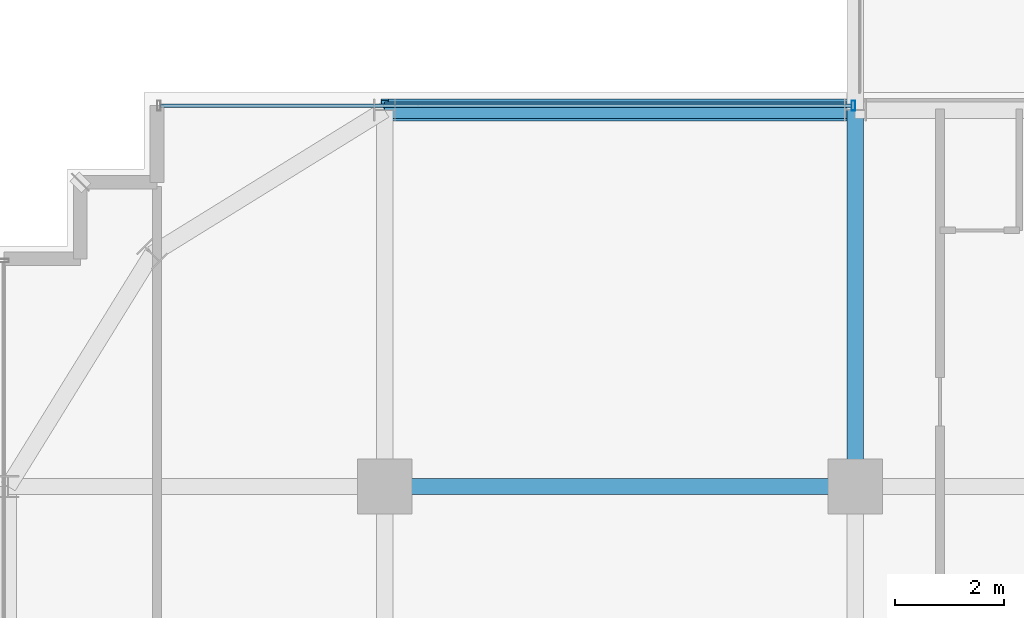
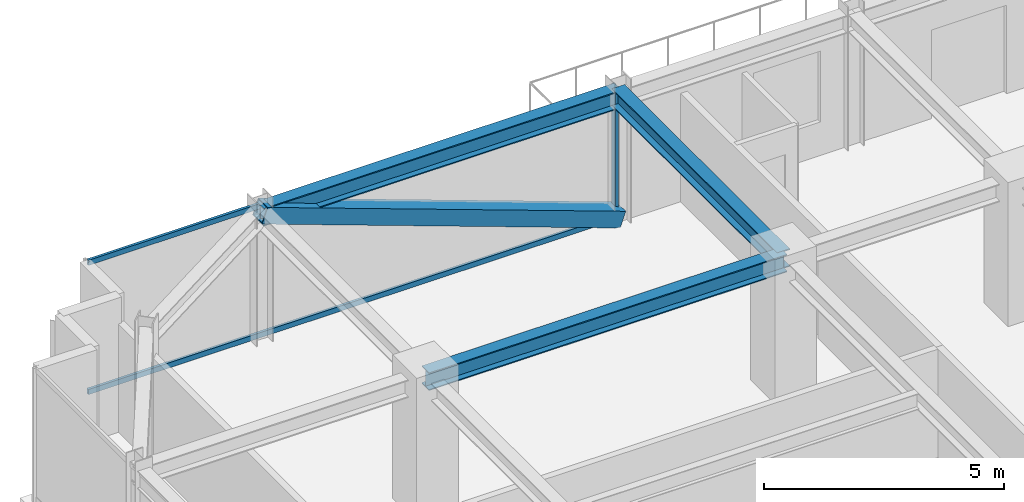
# One storey, part 21 of 42: 4 members, 3 beams, 1 element without a shape of its own.
"""IFC4 building model written with IfcOpenShell, lengths in metres."""

from ifc_helpers import new_model, si_unit, direction, frame, origin, origin_2d, place, context, subcontext, project, spatial, hollow_rectangle, i_section, extrude, source, transform, mapped, material, material_profile, profile_set, type_object, element, aggregate, save


model = new_model("IFC4")

# Units and contexts
model_context = context("Model", 3, precision=1e-05, world=origin(), true_north=direction((0.0, 1.0)))
body_context = subcontext(model_context, "Body", "Model", "MODEL_VIEW")
ifc_project = project(units=[si_unit("LENGTHUNIT", "METRE"), si_unit("AREAUNIT", "SQUARE_METRE"), si_unit("VOLUMEUNIT", "CUBIC_METRE"), si_unit("PLANEANGLEUNIT", "RADIAN"), si_unit("MASSUNIT", "GRAM", prefix="KILO")], contexts=[model_context])

# Site, building, storey
site_placement = place(None, origin())
site = spatial("IfcSite", under=ifc_project, at=site_placement, CompositionType="ELEMENT")
building_placement = place(site_placement, origin())
building = spatial("IfcBuilding", under=site, at=building_placement, Name="Nahalor Promenade Grand Hotel", CompositionType="ELEMENT")
storey_placement = place(building_placement, frame((0.0, 0.0, 249.300048828125)))
storey = spatial("IfcBuildingStorey", under=building, at=storey_placement, Name="L64", CompositionType="ELEMENT", Elevation=249.300048828125)

# Beams
ifc_material_1 = material(Name="Steel S355JR", Category="steel")
ifc_material_profile_1 = material_profile(ifc_material_1, i_section(OverallWidth=0.3, OverallDepth=0.45, WebThickness=0.014, FlangeThickness=0.026, at=origin_2d()), Name="HEB 450")
ifc_profile_set_1 = profile_set([ifc_material_profile_1], Name="Steel S355JR")
beam_type_1 = type_object("IfcBeamType", Name="Beam-Spandrel-HEB450", PredefinedType="SPANDREL", material=ifc_profile_set_1)
shared_shape_1 = source(origin(), body_context, "Body", "SweptSolid", [
    extrude(i_section(OverallWidth=0.3, OverallDepth=0.45, WebThickness=0.014, FlangeThickness=0.026, at=origin_2d()), origin(), (0.0, 0.0, 1.0), 8.60009765625),
])
beam_1_placement = place(storey_placement, frame((-17.0, 23.8798828125, 3.18505859375), z_axis=(1.0, 0.0, 0.0), x_axis=(0.0, 1.0, 0.0)))
element("IfcBeam", 1, at=beam_1_placement, inside=storey, type_object=beam_type_1, Name="BM-L64-SP-N-0", PredefinedType="SPANDREL", context=body_context, shape_type="MappedRepresentation", body=[
    mapped(shared_shape_1, transform((0.0, 0.0, 0.0), scale=1.0)),
])
ifc_material_profile_2 = material_profile(ifc_material_1, i_section(OverallWidth=0.3, OverallDepth=0.45, WebThickness=0.014, FlangeThickness=0.026, at=origin_2d()), Name="HEB 450")
ifc_profile_set_2 = profile_set([ifc_material_profile_2], Name="Steel S355JR")
beam_type_2 = type_object("IfcBeamType", Name="Beam-Girder-HEB450", PredefinedType="BEAM", material=ifc_profile_set_2)
shared_shape_2 = source(origin(), body_context, "Body", "SweptSolid", [
    extrude(i_section(OverallWidth=0.3, OverallDepth=0.45, WebThickness=0.014, FlangeThickness=0.026, at=origin_2d()), origin(), (0.0, 0.0, 1.0), 6.8798828125),
])
beam_2_placement = place(storey_placement, frame((-8.39990234375, 17.0, 3.18505859375), z_axis=(0.0, 1.0, 0.0), x_axis=(-1.0, 0.0, 0.0)))
element("IfcBeam", 2, at=beam_2_placement, inside=storey, type_object=beam_type_2, Name="BM-L64-GY-1-4", PredefinedType="BEAM", context=body_context, shape_type="MappedRepresentation", body=[
    mapped(shared_shape_2, transform((0.0, 0.0, 0.0), scale=1.0)),
])
shared_shape_3 = source(origin(), body_context, "Body", "SweptSolid", [
    extrude(i_section(OverallWidth=0.3, OverallDepth=0.45, WebThickness=0.014, FlangeThickness=0.026, at=origin_2d()), origin(), (0.0, 0.0, 1.0), 8.60009765625),
])
beam_3_placement = place(storey_placement, frame((-17.0, 17.0, 3.18505859375), z_axis=(1.0, 0.0, 0.0), x_axis=(0.0, 1.0, 0.0)))
element("IfcBeam", 3, at=beam_3_placement, inside=storey, type_object=beam_type_2, Name="BM-L64-GX-3-1", PredefinedType="BEAM", context=body_context, shape_type="MappedRepresentation", body=[
    mapped(shared_shape_3, transform((0.0, 0.0, 0.0), scale=1.0)),
])

# Member
ifc_material_profile_3 = material_profile(ifc_material_1, hollow_rectangle(XDim=0.4, YDim=0.4, WallThickness=0.022, at=origin_2d()), Name="SHS 400x400x22")
ifc_profile_set_3 = profile_set([ifc_material_profile_3], Name="Steel S355JR")
member_type_1 = type_object("IfcMemberType", Name="Mem-ExoBrace-SHS400", PredefinedType="BRACE", material=ifc_profile_set_3)
shared_shape_4 = source(origin(), body_context, "Body", "SweptSolid", [
    extrude(hollow_rectangle(XDim=0.4, YDim=0.4, WallThickness=0.022, at=origin_2d()), origin(), (0.0, 0.0, 1.0), 9.145263671875),
])
member_1_placement = place(storey_placement, frame((-8.39990234375, 23.8798828125, 0.14990234375), z_axis=(-0.940396027132, 0.0, 0.340081331676), x_axis=(0.0, -1.0, 0.0)))
element("IfcMember", 4, at=member_1_placement, inside=storey, type_object=member_type_1, Name="EXO-L64-N-0", PredefinedType="BRACE", context=body_context, shape_type="MappedRepresentation", body=[
    mapped(shared_shape_4, transform((0.0, 0.0, 0.0), scale=1.0)),
])

# Curtain wall, members
ifc_material_2 = material(Name="Anodised Bronze Aluminium EN AW-6063 T6", Category="aluminium")
curtain_wall_type = type_object("IfcCurtainWallType", Name="CW2 Typical Hotel Flush Bronze Unitised Curtain Wall", PredefinedType="USERDEFINED", material=ifc_material_2)
curtain_wall_placement = place(storey_placement, origin())
curtain_wall = element("IfcCurtainWall", 5, at=curtain_wall_placement, inside=storey, type_object=curtain_wall_type, Name="L64 Curtain Wall CW-L64-N-1", ObjectType="UNITISED_CURTAIN_WALL", PredefinedType="USERDEFINED")
ifc_material_profile_4 = material_profile(ifc_material_2, hollow_rectangle(XDim=0.065, YDim=0.13, WallThickness=0.004, at=origin_2d()), Name="CWT 65x130x4")
ifc_profile_set_4 = profile_set([ifc_material_profile_4], Name="Anodised Bronze Aluminium EN AW-6063 T6")
member_type_2 = type_object("IfcMemberType", Name="CWT2 Typical Bronze Transom 65x130", PredefinedType="USERDEFINED", material=ifc_profile_set_4)
shared_shape_5 = source(origin(), body_context, "Body", "SweptSolid", [
    extrude(hollow_rectangle(XDim=0.065, YDim=0.13, WallThickness=0.004, at=origin_2d()), origin(), (0.0, 0.0, 1.0), 12.6298828125),
])
member_2_placement = place(storey_placement, frame((-21.094970703125, 23.9599609375, 0.06494140625), z_axis=(1.0, 0.0, 0.0), x_axis=(0.0, 1.0, 0.0)))
member_2 = element("IfcMember", 6, at=member_2_placement, type_object=member_type_2, Name="CW-L64-N-1 Transom 0-0", ObjectType="TRANSOM", PredefinedType="USERDEFINED", context=body_context, shape_type="MappedRepresentation", body=[
    mapped(shared_shape_5, transform((0.0, 0.0, 0.0), scale=1.0)),
])
member_3_placement = place(storey_placement, frame((-21.094970703125, 23.9599609375, 3.344970703125), z_axis=(1.0, 0.0, 0.0), x_axis=(0.0, 1.0, 0.0)))
member_3 = element("IfcMember", 7, at=member_3_placement, type_object=member_type_2, Name="CW-L64-N-1 Transom 0-1", ObjectType="TRANSOM", PredefinedType="USERDEFINED", context=body_context, shape_type="MappedRepresentation", body=[
    mapped(shared_shape_5, transform((0.0, 0.0, 0.0), scale=1.0)),
])
ifc_material_profile_5 = material_profile(ifc_material_2, hollow_rectangle(XDim=0.065, YDim=0.18, WallThickness=0.004, at=origin_2d()), Name="CWM 65x180x4")
ifc_profile_set_5 = profile_set([ifc_material_profile_5], Name="Anodised Bronze Aluminium EN AW-6063 T6")
member_type_3 = type_object("IfcMemberType", Name="CWM2 Typical Bronze Mullion 65x180", PredefinedType="MULLION", material=ifc_profile_set_5)
shared_shape_6 = source(origin(), body_context, "Body", "SweptSolid", [
    extrude(hollow_rectangle(XDim=0.065, YDim=0.18, WallThickness=0.004, at=origin_2d()), origin(), (0.0, 0.0, 1.0), 3.409912109375),
])
member_4_placement = place(storey_placement, frame((-8.4326171875, 23.9599609375, 0.0), z_axis=(0.0, 0.0, 1.0), x_axis=(1.0, 0.0, 0.0)))
member_4 = element("IfcMember", 8, at=member_4_placement, type_object=member_type_3, Name="CW-L64-N-1 Mullion 1", PredefinedType="MULLION", context=body_context, shape_type="MappedRepresentation", body=[
    mapped(shared_shape_6, transform((0.0, 0.0, 0.0), scale=1.0)),
])
aggregate(curtain_wall, [member_4, member_2, member_3])

save(model, "model.ifc")
